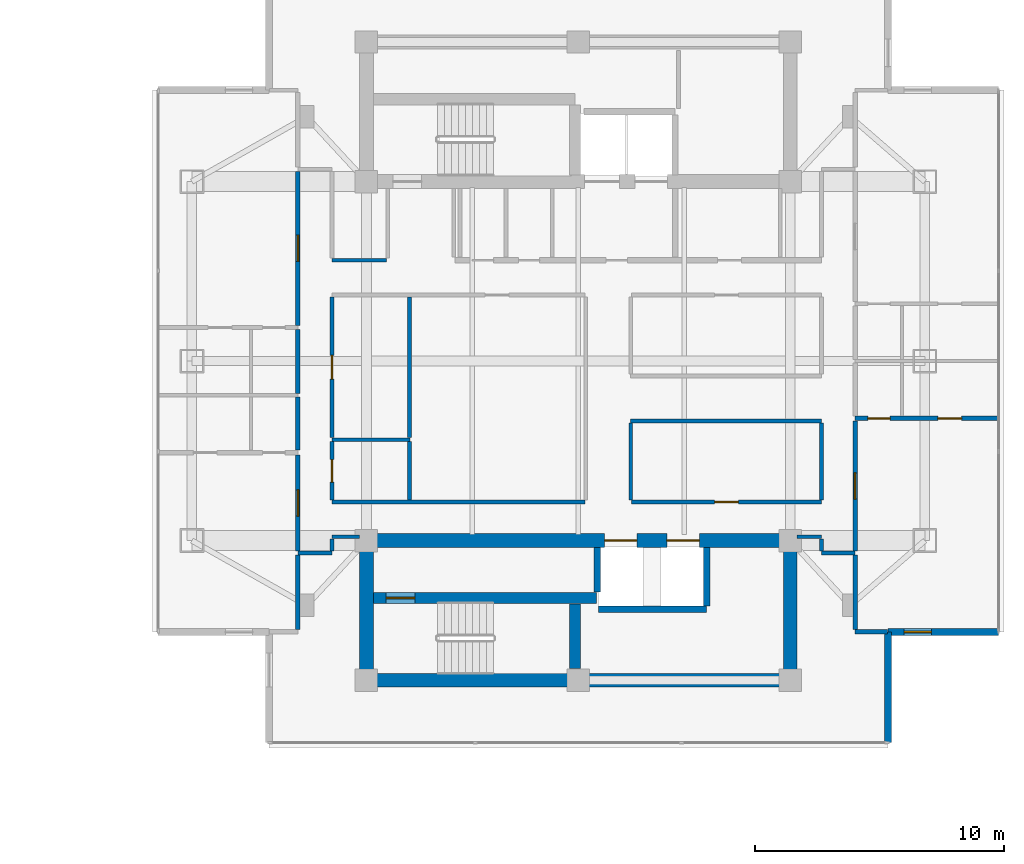
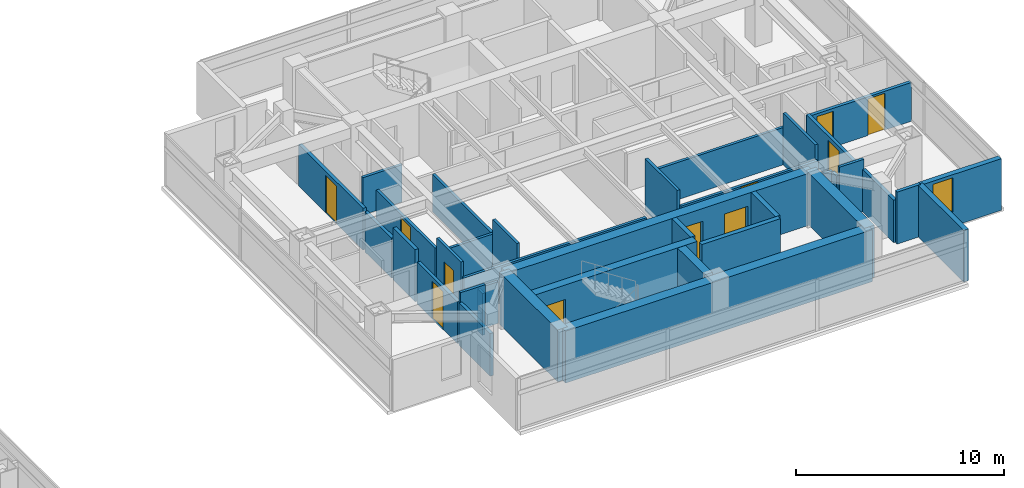
# One storey, part 16 of 24: 37 walls, 11 doors, 1 window, 12 openings.
"""IFC4 building model written with IfcOpenShell, lengths in metres."""

from ifc_helpers import new_model, si_unit, direction, frame, frame_2d, origin, place, context, subcontext, project, spatial, rectangle, extrude, material, layer, layer_set, type_object, element, fill, save


model = new_model("IFC4")

# Units and contexts
model_context = context("Model", 3, precision=1e-05, world=origin(), true_north=direction((0.0, 1.0)))
body_context = subcontext(model_context, "Body", "Model", "MODEL_VIEW")
ifc_project = project(units=[si_unit("LENGTHUNIT", "METRE"), si_unit("AREAUNIT", "SQUARE_METRE"), si_unit("VOLUMEUNIT", "CUBIC_METRE"), si_unit("PLANEANGLEUNIT", "RADIAN"), si_unit("MASSUNIT", "GRAM", prefix="KILO")], contexts=[model_context])

# Site, building, storey
site_placement = place(None, origin())
site = spatial("IfcSite", under=ifc_project, at=site_placement, CompositionType="ELEMENT")
building_placement = place(site_placement, origin())
building = spatial("IfcBuilding", under=site, at=building_placement, Name="Mirazonda Arch Towers", CompositionType="ELEMENT")
storey_placement = place(building_placement, frame((0.0, 0.0, 190.14990234375)))
storey = spatial("IfcBuildingStorey", under=building, at=storey_placement, Name="L54", CompositionType="ELEMENT", Elevation=190.14990234375)

# Wall, opening, door
ifc_material_1 = material(Name="Concrete C50/60", Category="concrete")
ifc_layer_1 = layer(ifc_material_1, 0.449951171875, Name="WALL-CORE-450")
ifc_layer_set_1 = layer_set([ifc_layer_1], Name="Concrete C50/60")
wall_type_1 = type_object("IfcWallType", Name="WALL-CORE-450", PredefinedType="SHEAR", material=ifc_layer_set_1)
wall_1_placement = place(storey_placement, frame((68.27001953125, 18.5, 0.0), z_axis=(0.0, 0.0, 1.0), x_axis=(1.0, 0.0, 0.0)))
wall_1 = element("IfcWall", 1, at=wall_1_placement, inside=storey, type_object=wall_type_1, Name="L54 Stair Core Shear Wall 013", PredefinedType="SHEAR", context=body_context, shape_type="SweptSolid", body=[
    extrude(rectangle(XDim=8.949951171875, YDim=0.449951171875, at=frame_2d((4.47509765625, 0.0))), origin(), (0.0, 0.0, 1.0), 3.050048828125),
])
opening_1_placement = place(wall_1_placement, frame((0.52001953125, 0.0, 0.0)))
opening_1 = element("IfcOpeningElement", 2, at=opening_1_placement, cuts=wall_1, Name="Opening DR-135", PredefinedType="OPENING", context=body_context, shape_type="SweptSolid", body=[
    extrude(rectangle(XDim=1.14990234375, YDim=2.199951171875, at=frame_2d((0.574951171875, 1.10009765625))), frame((0.0, 0.23486328125, 0.0), z_axis=(0.0, -1.0, 0.0), x_axis=(1.0, 0.0, 0.0)), (0.0, 0.0, 1.0), 0.469970703125),
])
ifc_material_2 = material(Name="Architectural Brushed Steel S355", Category="steel")
door_type_1 = type_object("IfcDoorType", Name="DOOR-STAIR-FD90-1150", OperationType="NOTDEFINED", PredefinedType="DOOR", material=ifc_material_2)
door_1_placement = place(opening_1_placement, origin())
door_1 = element("IfcDoor", 3, at=door_1_placement, inside=storey, type_object=door_type_1, Name="L54 East Protected Stair South Door", OperationType="SINGLE_SWING_RIGHT", OverallHeight=2.199951171875, OverallWidth=1.14990234375, PredefinedType="DOOR", context=body_context, shape_type="SweptSolid", body=[
    extrude(rectangle(XDim=1.14990234375, YDim=2.199951171875, at=frame_2d((0.574951171875, 1.10009765625))), frame((0.0, 0.02490234375, 0.0), z_axis=(0.0, -1.0, 0.0), x_axis=(1.0, 0.0, 0.0)), (0.0, 0.0, 1.0), 0.050048828125),
])
fill(opening_1, door_1)

# Walls
wall_2_placement = place(storey_placement, frame((76.360107421875, 15.6650390625, 0.0), z_axis=(0.0, 0.0, 1.0), x_axis=(0.0, 1.0, 0.0)))
element("IfcWall", 4, at=wall_2_placement, inside=storey, type_object=wall_type_1, Name="L54 Stair Core Shear Wall 138", PredefinedType="SHEAR", context=body_context, shape_type="SweptSolid", body=[
    extrude(rectangle(XDim=2.599853515625, YDim=0.449951171875, at=frame_2d((1.2998046875, 0.0))), origin(), (0.0, 0.0, 1.0), 3.050048828125),
])
ifc_layer_2 = layer(ifc_material_1, 0.550048828125, Name="WALL-CORE-550")
ifc_layer_set_2 = layer_set([ifc_layer_2], Name="Concrete C50/60")
wall_type_2 = type_object("IfcWallType", Name="WALL-CORE-550", PredefinedType="SHEAR", material=ifc_layer_set_2)
wall_3_placement = place(storey_placement, frame((68.0, 15.199951171875, 0.0), z_axis=(0.0, 0.0, 1.0), x_axis=(1.0, 0.0, 0.0)))
element("IfcWall", 5, at=wall_3_placement, inside=storey, type_object=wall_type_2, Name="L54 T2S-S Core Shear Wall", PredefinedType="SHEAR", context=body_context, shape_type="SweptSolid", body=[
    extrude(rectangle(XDim=17.0, YDim=0.550048828125, at=frame_2d((8.5, 0.0))), origin(), (0.0, 0.0, 1.0), 3.050048828125),
])
for number, where, z_axis, x_axis, name in (
    (6, (68.0, 15.199951171875, 0.0), (0.0, 0.0, 1.0), (0.0, 1.0, 0.0), "L54 T2S-W Core Shear Wall"),
    (7, (85.0, 15.199951171875, 0.0), (0.0, 0.0, 1.0), (0.0, 1.0, 0.0), "L54 T2S-E Core Shear Wall"),
):
    element("IfcWall", number, at=place(storey_placement, frame(where, z_axis=z_axis, x_axis=x_axis)), inside=storey, type_object=wall_type_2, Name=name, PredefinedType="SHEAR", context=body_context, shape_type="SweptSolid", body=[
        extrude(rectangle(XDim=5.60009765625, YDim=0.550048828125, at=frame_2d((2.800048828125, 0.0))), origin(), (0.0, 0.0, 1.0), 3.050048828125),
    ])

# Wall, openings, doors
wall_4_placement = place(storey_placement, frame((68.0, 20.800048828125, 0.0), z_axis=(0.0, 0.0, 1.0), x_axis=(1.0, 0.0, 0.0)))
wall_4 = element("IfcWall", 8, at=wall_4_placement, inside=storey, type_object=wall_type_2, Name="L54 T2S-N Core Shear Wall", PredefinedType="SHEAR", context=body_context, shape_type="SweptSolid", body=[
    extrude(rectangle(XDim=17.0, YDim=0.550048828125, at=frame_2d((8.5, 0.0))), origin(), (0.0, 0.0, 1.0), 3.050048828125),
])
opening_2_placement = place(wall_4_placement, frame((9.550048828125, 0.0, 0.0)))
opening_2 = element("IfcOpeningElement", 9, at=opening_2_placement, cuts=wall_4, Name="Opening LD-111", PredefinedType="OPENING", context=body_context, shape_type="SweptSolid", body=[
    extrude(rectangle(XDim=1.300048828125, YDim=2.300048828125, at=frame_2d((0.64990234375, 1.14990234375))), frame((0.0, 0.284912109375, 0.0), z_axis=(0.0, -1.0, 0.0), x_axis=(1.0, 0.0, 0.0)), (0.0, 0.0, 1.0), 0.570068359375),
])
opening_3_placement = place(wall_4_placement, frame((12.050048828125, 0.0, 0.0)))
opening_3 = element("IfcOpeningElement", 10, at=opening_3_placement, cuts=wall_4, Name="Opening LD-111", PredefinedType="OPENING", context=body_context, shape_type="SweptSolid", body=[
    extrude(rectangle(XDim=1.300048828125, YDim=2.300048828125, at=frame_2d((0.64990234375, 1.14990234375))), frame((0.0, 0.284912109375, 0.0), z_axis=(0.0, -1.0, 0.0), x_axis=(1.0, 0.0, 0.0)), (0.0, 0.0, 1.0), 0.570068359375),
])
door_type_2 = type_object("IfcDoorType", Name="DOOR-LIFT-LAND-1300", OperationType="NOTDEFINED", PredefinedType="DOOR", material=ifc_material_2)
door_2_placement = place(opening_2_placement, origin())
door_2 = element("IfcDoor", 11, at=door_2_placement, inside=storey, type_object=door_type_2, Name="L54 Lift Landing Sliding Door PL-T2H1", OperationType="DOUBLE_DOOR_SLIDING", OverallHeight=2.300048828125, OverallWidth=1.300048828125, PredefinedType="DOOR", context=body_context, shape_type="SweptSolid", body=[
    extrude(rectangle(XDim=1.300048828125, YDim=2.300048828125, at=frame_2d((0.64990234375, 1.14990234375))), frame((0.0, 0.02490234375, 0.0), z_axis=(0.0, -1.0, 0.0), x_axis=(1.0, 0.0, 0.0)), (0.0, 0.0, 1.0), 0.050048828125),
])
fill(opening_2, door_2)
door_3_placement = place(opening_3_placement, origin())
door_3 = element("IfcDoor", 12, at=door_3_placement, inside=storey, type_object=door_type_2, Name="L54 Lift Landing Sliding Door PL-T2H2", OperationType="DOUBLE_DOOR_SLIDING", OverallHeight=2.300048828125, OverallWidth=1.300048828125, PredefinedType="DOOR", context=body_context, shape_type="SweptSolid", body=[
    extrude(rectangle(XDim=1.300048828125, YDim=2.300048828125, at=frame_2d((0.64990234375, 1.14990234375))), frame((0.0, 0.02490234375, 0.0), z_axis=(0.0, -1.0, 0.0), x_axis=(1.0, 0.0, 0.0)), (0.0, 0.0, 1.0), 0.050048828125),
])
fill(opening_3, door_3)

# Wall, opening, window
ifc_material_3 = material(Name="Precast Concrete C40/50", Category="concrete")
ifc_layer_3 = layer(ifc_material_3, 0.280029296875, Name="WALL-EXT-WALL-280")
ifc_layer_set_3 = layer_set([ifc_layer_3], Name="Precast Concrete C40/50")
wall_type_3 = type_object("IfcWallType", Name="WALL-EXT-WALL-280", PredefinedType="SOLIDWALL", material=ifc_layer_set_3)
wall_5_placement = place(storey_placement, frame((88.913818359375, 17.134521484375, 0.0), z_axis=(0.0, 0.0, 1.0), x_axis=(1.0, 0.0, 0.0)))
wall_5 = element("IfcWall", 13, at=wall_5_placement, inside=storey, type_object=wall_type_3, Name="L54 T2 Corner Notch Return Wall WL-L54-T2-CSE1", PredefinedType="SOLIDWALL", context=body_context, shape_type="SweptSolid", body=[
    extrude(rectangle(XDim=4.439697265625, YDim=0.280029296875, at=frame_2d((2.2197265625, 0.0))), origin(), (0.0, 0.0, 1.0), 3.030029296875),
])
opening_4_placement = place(wall_5_placement, frame((0.64990234375, 0.0, 0.85009765625)))
opening_4 = element("IfcOpeningElement", 14, at=opening_4_placement, cuts=wall_5, Name="Opening WN-108", PredefinedType="OPENING", context=body_context, shape_type="SweptSolid", body=[
    extrude(rectangle(XDim=1.10009765625, YDim=2.0, at=frame_2d((0.550048828125, 1.0))), frame((0.0, 0.14990234375, 0.0), z_axis=(0.0, -1.0, 0.0), x_axis=(1.0, 0.0, 0.0)), (0.0, 0.0, 1.0), 0.300048828125),
])
ifc_material_4 = material(Name="Insulated Low-E Solar Glass", Category="glass")
window_type = type_object("IfcWindowType", Name="WIN-NOTCH-1100x2000", PartitioningType="SINGLE_PANEL", PredefinedType="WINDOW", material=ifc_material_4)
window_placement = place(opening_4_placement, origin())
window = element("IfcWindow", 15, at=window_placement, inside=storey, type_object=window_type, Name="L54 Punched Facade Window WN-L54-T2-CSE1", OverallHeight=2.0, OverallWidth=1.10009765625, PartitioningType="SINGLE_PANEL", PredefinedType="WINDOW", context=body_context, shape_type="SweptSolid", body=[
    extrude(rectangle(XDim=1.10009765625, YDim=2.0, at=frame_2d((0.550048828125, 1.0))), frame((0.0, 0.030029296875, 0.0), z_axis=(0.0, -1.0, 0.0), x_axis=(1.0, 0.0, 0.0)), (0.0, 0.0, 1.0), 0.06005859375),
])
fill(opening_4, window)

# Walls
wall_6_placement = place(storey_placement, frame((88.913818359375, 12.69482421875, 0.0), z_axis=(0.0, 0.0, 1.0), x_axis=(0.0, 1.0, 0.0)))
element("IfcWall", 16, at=wall_6_placement, inside=storey, type_object=wall_type_3, Name="L54 T2 Corner Notch Return Wall WL-L54-T2-CSE2", PredefinedType="SOLIDWALL", context=body_context, shape_type="SweptSolid", body=[
    extrude(rectangle(XDim=4.439697265625, YDim=0.280029296875, at=frame_2d((2.2197265625, 0.0))), origin(), (0.0, 0.0, 1.0), 3.030029296875),
])
ifc_material_5 = material(Name="Fire-Rated Gypsum Stud Partition")
ifc_layer_4 = layer(ifc_material_5, 0.14990234375, Name="WALL-PART-CORR-150")
ifc_layer_set_4 = layer_set([ifc_layer_4], Name="Fire-Rated Gypsum Stud Partition")
wall_type_4 = type_object("IfcWallType", Name="WALL-PART-CORR-150", PredefinedType="PARTITIONING", material=ifc_layer_set_4)
wall_7_placement = place(storey_placement, frame((65.25, 20.300048828125, 0.0), z_axis=(0.0, 0.0, 1.0), x_axis=(1.0, 0.0, 0.0)))
element("IfcWall", 17, at=wall_7_placement, inside=storey, type_object=wall_type_4, Name="L54 Interior Partition 016", PredefinedType="PARTITIONING", context=body_context, shape_type="SweptSolid", body=[
    extrude(rectangle(XDim=1.3701171875, YDim=0.14990234375, at=frame_2d((0.68505859375, 0.0))), origin(), (0.0, 0.0, 1.0), 3.050048828125),
])
wall_8_placement = place(storey_placement, frame((86.25, 20.300048828125, 0.0), z_axis=(0.0, 0.0, 1.0), x_axis=(1.0, 0.0, 0.0)))
element("IfcWall", 18, at=wall_8_placement, inside=storey, type_object=wall_type_4, Name="L54 Interior Partition 017", PredefinedType="PARTITIONING", context=body_context, shape_type="SweptSolid", body=[
    extrude(rectangle(XDim=1.35009765625, YDim=0.14990234375, at=frame_2d((0.675048828125, 0.0))), origin(), (0.0, 0.0, 1.0), 3.050048828125),
])
wall_9_placement = place(storey_placement, frame((66.6201171875, 20.949951171875, 0.0), z_axis=(0.0, 0.0, 1.0), x_axis=(1.0, 0.0, 0.0)))
element("IfcWall", 19, at=wall_9_placement, inside=storey, type_object=wall_type_4, Name="L54 Interior Partition 018", PredefinedType="PARTITIONING", context=body_context, shape_type="SweptSolid", body=[
    extrude(rectangle(XDim=1.10986328125, YDim=0.14990234375, at=frame_2d((0.554931640625, 0.0))), origin(), (0.0, 0.0, 1.0), 2.442138671875),
])
wall_10_placement = place(storey_placement, frame((85.27001953125, 20.949951171875, 0.0), z_axis=(0.0, 0.0, 1.0), x_axis=(1.0, 0.0, 0.0)))
element("IfcWall", 20, at=wall_10_placement, inside=storey, type_object=wall_type_4, Name="L54 Interior Partition 019", PredefinedType="PARTITIONING", context=body_context, shape_type="SweptSolid", body=[
    extrude(rectangle(XDim=0.97998046875, YDim=0.14990234375, at=frame_2d((0.489990234375, 0.0))), origin(), (0.0, 0.0, 1.0), 2.442138671875),
])
wall_11_placement = place(storey_placement, frame((66.6201171875, 22.35009765625, 0.0), z_axis=(0.0, 0.0, 1.0), x_axis=(1.0, 0.0, 0.0)))
element("IfcWall", 21, at=wall_11_placement, inside=storey, type_object=wall_type_4, Name="L54 Interior Partition 022", PredefinedType="PARTITIONING", context=body_context, shape_type="SweptSolid", body=[
    extrude(rectangle(XDim=10.139892578125, YDim=0.14990234375, at=frame_2d((5.06982421875, 0.0))), origin(), (0.0, 0.0, 1.0), 2.18603515625),
])

# Wall, opening, door
wall_12_placement = place(storey_placement, frame((78.639892578125, 22.35009765625, 0.0), z_axis=(0.0, 0.0, 1.0), x_axis=(1.0, 0.0, 0.0)))
wall_12 = element("IfcWall", 22, at=wall_12_placement, inside=storey, type_object=wall_type_4, Name="L54 Interior Partition 023", PredefinedType="PARTITIONING", context=body_context, shape_type="SweptSolid", body=[
    extrude(rectangle(XDim=7.610107421875, YDim=0.14990234375, at=frame_2d((3.80517578125, 0.0))), origin(), (0.0, 0.0, 1.0), 2.18603515625),
])
opening_5_placement = place(wall_12_placement, frame((3.330078125, 0.0, 0.0)))
opening_5 = element("IfcOpeningElement", 23, at=opening_5_placement, cuts=wall_12, Name="Opening DR-104", PredefinedType="OPENING", context=body_context, shape_type="SweptSolid", body=[
    extrude(rectangle(XDim=0.949951171875, YDim=2.14990234375, at=frame_2d((0.47509765625, 1.074951171875))), frame((0.0, 0.0849609375, 0.0), z_axis=(0.0, -1.0, 0.0), x_axis=(1.0, 0.0, 0.0)), (0.0, 0.0, 1.0), 0.169921875),
])
door_type_3 = type_object("IfcDoorType", Name="DOOR-ROOM-950", OperationType="NOTDEFINED", PredefinedType="DOOR", material=ifc_material_2)
door_4_placement = place(opening_5_placement, origin())
door_4 = element("IfcDoor", 24, at=door_4_placement, inside=storey, type_object=door_type_3, Name="L54 L54 Tower 2 South-East Salon Door", OperationType="SINGLE_SWING_RIGHT", OverallHeight=2.14990234375, OverallWidth=0.949951171875, PredefinedType="DOOR", context=body_context, shape_type="SweptSolid", body=[
    extrude(rectangle(XDim=0.949951171875, YDim=2.14990234375, at=frame_2d((0.47509765625, 1.074951171875))), frame((0.0, 0.02490234375, 0.0), z_axis=(0.0, -1.0, 0.0), x_axis=(1.0, 0.0, 0.0)), (0.0, 0.0, 1.0), 0.050048828125),
])
fill(opening_5, door_4)

# Walls
wall_13_placement = place(storey_placement, frame((66.6201171875, 24.85009765625, 0.0), z_axis=(0.0, 0.0, 1.0), x_axis=(1.0, 0.0, 0.0)))
element("IfcWall", 25, at=wall_13_placement, inside=storey, type_object=wall_type_4, Name="L54 Interior Partition 027", PredefinedType="PARTITIONING", context=body_context, shape_type="SweptSolid", body=[
    extrude(rectangle(XDim=3.1298828125, YDim=0.14990234375, at=frame_2d((1.56494140625, 0.0))), origin(), (0.0, 0.0, 1.0), 2.18603515625),
])
wall_14_placement = place(storey_placement, frame((78.60009765625, 25.60009765625, 0.0), z_axis=(0.0, 0.0, 1.0), x_axis=(1.0, 0.0, 0.0)))
element("IfcWall", 26, at=wall_14_placement, inside=storey, type_object=wall_type_4, Name="L54 Interior Partition 028", PredefinedType="PARTITIONING", context=body_context, shape_type="SweptSolid", body=[
    extrude(rectangle(XDim=7.64990234375, YDim=0.14990234375, at=frame_2d((3.824951171875, 0.0))), origin(), (0.0, 0.0, 1.0), 2.18603515625),
])
wall_15_placement = place(storey_placement, frame((66.6201171875, 32.050048828125, 0.0), z_axis=(0.0, 0.0, 1.0), x_axis=(1.0, 0.0, 0.0)))
element("IfcWall", 27, at=wall_15_placement, inside=storey, type_object=wall_type_4, Name="L54 Interior Partition 042", PredefinedType="PARTITIONING", context=body_context, shape_type="SweptSolid", body=[
    extrude(rectangle(XDim=2.179931640625, YDim=0.14990234375, at=frame_2d((1.08984375, 0.0))), origin(), (0.0, 0.0, 1.0), 2.18603515625),
])
wall_16_placement = place(storey_placement, frame((66.6201171875, 20.385009765625, 0.0), z_axis=(0.0, 0.0, 1.0), x_axis=(0.0, 1.0, 0.0)))
element("IfcWall", 28, at=wall_16_placement, inside=storey, type_object=wall_type_4, Name="L54 Interior Partition 127", PredefinedType="PARTITIONING", context=body_context, shape_type="SweptSolid", body=[
    extrude(rectangle(XDim=0.47998046875, YDim=0.14990234375, at=frame_2d((0.239990234375, 0.0))), origin(), (0.0, 0.0, 1.0), 2.442138671875),
])

# Wall, opening, door
wall_17_placement = place(storey_placement, frame((66.6201171875, 22.43505859375, 0.0), z_axis=(0.0, 0.0, 1.0), x_axis=(0.0, 1.0, 0.0)))
wall_17 = element("IfcWall", 29, at=wall_17_placement, inside=storey, type_object=wall_type_4, Name="L54 Interior Partition 128", PredefinedType="PARTITIONING", context=body_context, shape_type="SweptSolid", body=[
    extrude(rectangle(XDim=2.329833984375, YDim=0.14990234375, at=frame_2d((1.1650390625, 0.0))), origin(), (0.0, 0.0, 1.0), 3.050048828125),
])
opening_6_placement = place(wall_17_placement, frame((0.715087890625, 0.0, 0.0)))
opening_6 = element("IfcOpeningElement", 30, at=opening_6_placement, cuts=wall_17, Name="Opening DR-120", PredefinedType="OPENING", context=body_context, shape_type="SweptSolid", body=[
    extrude(rectangle(XDim=0.89990234375, YDim=2.10009765625, at=frame_2d((0.449951171875, 1.050048828125))), frame((0.0, 0.0849609375, 0.0), z_axis=(0.0, -1.0, 0.0), x_axis=(1.0, 0.0, 0.0)), (0.0, 0.0, 1.0), 0.169921875),
])
door_type_4 = type_object("IfcDoorType", Name="DOOR-WC-900", OperationType="NOTDEFINED", PredefinedType="DOOR", material=ifc_material_2)
door_5_placement = place(opening_6_placement, origin())
door_5 = element("IfcDoor", 31, at=door_5_placement, inside=storey, type_object=door_type_4, Name="L54 Tower 2 Common Accessible WC Door", OperationType="SINGLE_SWING_LEFT", OverallHeight=2.10009765625, OverallWidth=0.89990234375, PredefinedType="DOOR", context=body_context, shape_type="SweptSolid", body=[
    extrude(rectangle(XDim=0.89990234375, YDim=2.10009765625, at=frame_2d((0.449951171875, 1.050048828125))), frame((0.0, 0.02490234375, 0.0), z_axis=(0.0, -1.0, 0.0), x_axis=(1.0, 0.0, 0.0)), (0.0, 0.0, 1.0), 0.050048828125),
])
fill(opening_6, door_5)

wall_18_placement = place(storey_placement, frame((66.6201171875, 24.93505859375, 0.0), z_axis=(0.0, 0.0, 1.0), x_axis=(0.0, 1.0, 0.0)))
wall_18 = element("IfcWall", 32, at=wall_18_placement, inside=storey, type_object=wall_type_4, Name="L54 Interior Partition 129", PredefinedType="PARTITIONING", context=body_context, shape_type="SweptSolid", body=[
    extrude(rectangle(XDim=5.6298828125, YDim=0.14990234375, at=frame_2d((2.81494140625, 0.0))), origin(), (0.0, 0.0, 1.0), 2.34619140625),
])
opening_7_placement = place(wall_18_placement, frame((2.340087890625, 0.0, 0.0)))
opening_7 = element("IfcOpeningElement", 33, at=opening_7_placement, cuts=wall_18, Name="Opening DR-104", PredefinedType="OPENING", context=body_context, shape_type="SweptSolid", body=[
    extrude(rectangle(XDim=0.949951171875, YDim=2.14990234375, at=frame_2d((0.47509765625, 1.074951171875))), frame((0.0, 0.0849609375, 0.0), z_axis=(0.0, -1.0, 0.0), x_axis=(1.0, 0.0, 0.0)), (0.0, 0.0, 1.0), 0.169921875),
])
door_6_placement = place(opening_7_placement, origin())
door_6 = element("IfcDoor", 34, at=door_6_placement, inside=storey, type_object=door_type_3, Name="L54 L54 East Courtyard Reading Study Door", OperationType="SINGLE_SWING_RIGHT", OverallHeight=2.14990234375, OverallWidth=0.949951171875, PredefinedType="DOOR", context=body_context, shape_type="SweptSolid", body=[
    extrude(rectangle(XDim=0.949951171875, YDim=2.14990234375, at=frame_2d((0.47509765625, 1.074951171875))), frame((0.0, 0.02490234375, 0.0), z_axis=(0.0, -1.0, 0.0), x_axis=(1.0, 0.0, 0.0)), (0.0, 0.0, 1.0), 0.050048828125),
])
fill(opening_7, door_6)

# Walls
wall_19_placement = place(storey_placement, frame((69.723388671875, 22.43505859375, 0.0), z_axis=(0.0, 0.0, 1.0), x_axis=(0.0, 1.0, 0.0)))
element("IfcWall", 35, at=wall_19_placement, inside=storey, type_object=wall_type_4, Name="L54 Interior Partition 132", PredefinedType="PARTITIONING", context=body_context, shape_type="SweptSolid", body=[
    extrude(rectangle(XDim=2.329833984375, YDim=0.14990234375, at=frame_2d((1.1650390625, 0.0))), origin(), (0.0, 0.0, 1.0), 3.050048828125),
])
wall_20_placement = place(storey_placement, frame((69.723388671875, 24.93505859375, 0.0), z_axis=(0.0, 0.0, 1.0), x_axis=(0.0, 1.0, 0.0)))
element("IfcWall", 36, at=wall_20_placement, inside=storey, type_object=wall_type_4, Name="L54 Interior Partition 133", PredefinedType="PARTITIONING", context=body_context, shape_type="SweptSolid", body=[
    extrude(rectangle(XDim=5.6298828125, YDim=0.14990234375, at=frame_2d((2.81494140625, 0.0))), origin(), (0.0, 0.0, 1.0), 2.18603515625),
])
wall_21_placement = place(storey_placement, frame((78.60009765625, 22.43505859375, 0.0), z_axis=(0.0, 0.0, 1.0), x_axis=(0.0, 1.0, 0.0)))
element("IfcWall", 37, at=wall_21_placement, inside=storey, type_object=wall_type_4, Name="L54 Interior Partition 142", PredefinedType="PARTITIONING", context=body_context, shape_type="SweptSolid", body=[
    extrude(rectangle(XDim=3.079833984375, YDim=0.14990234375, at=frame_2d((1.5400390625, 0.0))), origin(), (0.0, 0.0, 1.0), 3.050048828125),
])
wall_22_placement = place(storey_placement, frame((86.25, 20.385009765625, 0.0), z_axis=(0.0, 0.0, 1.0), x_axis=(0.0, 1.0, 0.0)))
element("IfcWall", 38, at=wall_22_placement, inside=storey, type_object=wall_type_4, Name="L54 Interior Partition 149", PredefinedType="PARTITIONING", context=body_context, shape_type="SweptSolid", body=[
    extrude(rectangle(XDim=0.47998046875, YDim=0.14990234375, at=frame_2d((0.239990234375, 0.0))), origin(), (0.0, 0.0, 1.0), 2.442138671875),
])
wall_23_placement = place(storey_placement, frame((86.25, 22.43505859375, 0.0), z_axis=(0.0, 0.0, 1.0), x_axis=(0.0, 1.0, 0.0)))
element("IfcWall", 39, at=wall_23_placement, inside=storey, type_object=wall_type_4, Name="L54 Interior Partition 150", PredefinedType="PARTITIONING", context=body_context, shape_type="SweptSolid", body=[
    extrude(rectangle(XDim=3.079833984375, YDim=0.14990234375, at=frame_2d((1.5400390625, 0.0))), origin(), (0.0, 0.0, 1.0), 3.050048828125),
])
ifc_material_6 = material(Name="Fire-Rated Gypsum Twin-Stud Assembly")
ifc_layer_5 = layer(ifc_material_6, 0.179931640625, Name="WALL-PART-DEMISE-180")
ifc_layer_set_5 = layer_set([ifc_layer_5], Name="Fire-Rated Gypsum Twin-Stud Assembly")
wall_type_5 = type_object("IfcWallType", Name="WALL-PART-DEMISE-180", PredefinedType="PARTITIONING", material=ifc_layer_set_5)
wall_24_placement = place(storey_placement, frame((87.60009765625, 17.135009765625, 0.0), z_axis=(0.0, 0.0, 1.0), x_axis=(1.0, 0.0, 0.0)))
element("IfcWall", 40, at=wall_24_placement, inside=storey, type_object=wall_type_5, Name="L54 Interior Partition 009", PredefinedType="PARTITIONING", context=body_context, shape_type="SweptSolid", body=[
    extrude(rectangle(XDim=1.293701171875, YDim=0.179931640625, at=frame_2d((0.64697265625, 0.0))), origin(), (0.0, 0.0, 1.0), 3.050048828125),
])

# Wall, openings, doors
wall_25_placement = place(storey_placement, frame((87.60009765625, 25.699951171875, 0.0), z_axis=(0.0, 0.0, 1.0), x_axis=(1.0, 0.0, 0.0)))
wall_25 = element("IfcWall", 41, at=wall_25_placement, inside=storey, type_object=wall_type_5, Name="L54 Interior Partition 029", PredefinedType="PARTITIONING", context=body_context, shape_type="SweptSolid", body=[
    extrude(rectangle(XDim=5.7529296875, YDim=0.179931640625, at=frame_2d((2.87646484375, 0.0))), origin(), (0.0, 0.0, 1.0), 2.26904296875),
])
opening_8_placement = place(wall_25_placement, frame((3.321533203125, 0.0, 0.0)))
opening_8 = element("IfcOpeningElement", 42, at=opening_8_placement, cuts=wall_25, Name="Opening DR-104", PredefinedType="OPENING", context=body_context, shape_type="SweptSolid", body=[
    extrude(rectangle(XDim=0.949951171875, YDim=2.14990234375, at=frame_2d((0.47509765625, 1.074951171875))), frame((0.0, 0.099853515625, 0.0), z_axis=(0.0, -1.0, 0.0), x_axis=(1.0, 0.0, 0.0)), (0.0, 0.0, 1.0), 0.199951171875),
])
opening_9_placement = place(wall_25_placement, frame((0.510009765625, 0.0, 0.0)))
opening_9 = element("IfcOpeningElement", 43, at=opening_9_placement, cuts=wall_25, Name="Opening DR-120", PredefinedType="OPENING", context=body_context, shape_type="SweptSolid", body=[
    extrude(rectangle(XDim=0.89990234375, YDim=2.10009765625, at=frame_2d((0.449951171875, 1.050048828125))), frame((0.0, 0.099853515625, 0.0), z_axis=(0.0, -1.0, 0.0), x_axis=(1.0, 0.0, 0.0)), (0.0, 0.0, 1.0), 0.199951171875),
])
door_7_placement = place(opening_8_placement, origin())
door_7 = element("IfcDoor", 44, at=door_7_placement, inside=storey, type_object=door_type_3, Name="L54 Studio 1 Galley Kitchen Door", OperationType="SINGLE_SWING_LEFT", OverallHeight=2.14990234375, OverallWidth=0.949951171875, PredefinedType="DOOR", context=body_context, shape_type="SweptSolid", body=[
    extrude(rectangle(XDim=0.949951171875, YDim=2.14990234375, at=frame_2d((0.47509765625, 1.074951171875))), frame((0.0, 0.02490234375, 0.0), z_axis=(0.0, -1.0, 0.0), x_axis=(1.0, 0.0, 0.0)), (0.0, 0.0, 1.0), 0.050048828125),
])
fill(opening_8, door_7)
door_8_placement = place(opening_9_placement, origin())
door_8 = element("IfcDoor", 45, at=door_8_placement, inside=storey, type_object=door_type_4, Name="L54 Studio 1 Bathroom Door", OperationType="SINGLE_SWING_RIGHT", OverallHeight=2.10009765625, OverallWidth=0.89990234375, PredefinedType="DOOR", context=body_context, shape_type="SweptSolid", body=[
    extrude(rectangle(XDim=0.89990234375, YDim=2.10009765625, at=frame_2d((0.449951171875, 1.050048828125))), frame((0.0, 0.02490234375, 0.0), z_axis=(0.0, -1.0, 0.0), x_axis=(1.0, 0.0, 0.0)), (0.0, 0.0, 1.0), 0.050048828125),
])
fill(opening_9, door_8)

# Wall
wall_26_placement = place(storey_placement, frame((65.25, 17.235107421875, 0.0), z_axis=(0.0, 0.0, 1.0), x_axis=(0.0, 1.0, 0.0)))
element("IfcWall", 46, at=wall_26_placement, inside=storey, type_object=wall_type_5, Name="L54 Interior Partition 121", PredefinedType="PARTITIONING", context=body_context, shape_type="SweptSolid", body=[
    extrude(rectangle(XDim=2.97998046875, YDim=0.179931640625, at=frame_2d((1.489990234375, 0.0))), origin(), (0.0, 0.0, 1.0), 2.4931640625),
])

# Wall, opening, door
wall_27_placement = place(storey_placement, frame((65.25, 20.385009765625, 0.0), z_axis=(0.0, 0.0, 1.0), x_axis=(0.0, 1.0, 0.0)))
wall_27 = element("IfcWall", 47, at=wall_27_placement, inside=storey, type_object=wall_type_5, Name="L54 Interior Partition 122", PredefinedType="PARTITIONING", context=body_context, shape_type="SweptSolid", body=[
    extrude(rectangle(XDim=3.846923828125, YDim=0.179931640625, at=frame_2d((1.92333984375, 0.0))), origin(), (0.0, 0.0, 1.0), 2.442138671875),
])
opening_10_placement = place(wall_27_placement, frame((1.3984375, 0.0, 0.0)))
opening_10 = element("IfcOpeningElement", 48, at=opening_10_placement, cuts=wall_27, Name="Opening DR-121", PredefinedType="OPENING", context=body_context, shape_type="SweptSolid", body=[
    extrude(rectangle(XDim=1.050048828125, YDim=2.199951171875, at=frame_2d((0.52490234375, 1.10009765625))), frame((0.0, 0.099853515625, 0.0), z_axis=(0.0, -1.0, 0.0), x_axis=(1.0, 0.0, 0.0)), (0.0, 0.0, 1.0), 0.199951171875),
])
door_type_5 = type_object("IfcDoorType", Name="DOOR-SUITE-FD60-1050", OperationType="NOTDEFINED", PredefinedType="DOOR", material=ifc_material_2)
door_9_placement = place(opening_10_placement, origin())
door_9 = element("IfcDoor", 49, at=door_9_placement, inside=storey, type_object=door_type_5, Name="L54 Studio Apartment 1 Living Salon Door", OperationType="SINGLE_SWING_RIGHT", OverallHeight=2.199951171875, OverallWidth=1.050048828125, PredefinedType="DOOR", context=body_context, shape_type="SweptSolid", body=[
    extrude(rectangle(XDim=1.050048828125, YDim=2.199951171875, at=frame_2d((0.52490234375, 1.10009765625))), frame((0.0, 0.02490234375, 0.0), z_axis=(0.0, -1.0, 0.0), x_axis=(1.0, 0.0, 0.0)), (0.0, 0.0, 1.0), 0.050048828125),
])
fill(opening_10, door_9)

# Walls
wall_28_placement = place(storey_placement, frame((65.25, 24.431884765625, 0.0), z_axis=(0.0, 0.0, 1.0), x_axis=(0.0, 1.0, 0.0)))
element("IfcWall", 50, at=wall_28_placement, inside=storey, type_object=wall_type_5, Name="L54 Interior Partition 123", PredefinedType="PARTITIONING", context=body_context, shape_type="SweptSolid", body=[
    extrude(rectangle(XDim=2.127685546875, YDim=0.179931640625, at=frame_2d((1.06396484375, 0.0))), origin(), (0.0, 0.0, 1.0), 3.050048828125),
])
wall_29_placement = place(storey_placement, frame((65.25, 26.70458984375, 0.0), z_axis=(0.0, 0.0, 1.0), x_axis=(0.0, 1.0, 0.0)))
element("IfcWall", 51, at=wall_29_placement, inside=storey, type_object=wall_type_5, Name="L54 Interior Partition 124", PredefinedType="PARTITIONING", context=body_context, shape_type="SweptSolid", body=[
    extrude(rectangle(XDim=2.5625, YDim=0.179931640625, at=frame_2d((1.28125, 0.0))), origin(), (0.0, 0.0, 1.0), 2.34619140625),
])

# Wall, opening, door
wall_30_placement = place(storey_placement, frame((65.25, 29.43701171875, 0.0), z_axis=(0.0, 0.0, 1.0), x_axis=(0.0, 1.0, 0.0)))
wall_30 = element("IfcWall", 52, at=wall_30_placement, inside=storey, type_object=wall_type_5, Name="L54 Interior Partition 125", PredefinedType="PARTITIONING", context=body_context, shape_type="SweptSolid", body=[
    extrude(rectangle(XDim=6.177978515625, YDim=0.179931640625, at=frame_2d((3.0888671875, 0.0))), origin(), (0.0, 0.0, 1.0), 2.442138671875),
])
opening_11_placement = place(wall_30_placement, frame((2.56396484375, 0.0, 0.0)))
opening_11 = element("IfcOpeningElement", 53, at=opening_11_placement, cuts=wall_30, Name="Opening DR-121", PredefinedType="OPENING", context=body_context, shape_type="SweptSolid", body=[
    extrude(rectangle(XDim=1.050048828125, YDim=2.199951171875, at=frame_2d((0.52490234375, 1.10009765625))), frame((0.0, 0.099853515625, 0.0), z_axis=(0.0, -1.0, 0.0), x_axis=(1.0, 0.0, 0.0)), (0.0, 0.0, 1.0), 0.199951171875),
])
door_10_placement = place(opening_11_placement, origin())
door_10 = element("IfcDoor", 54, at=door_10_placement, inside=storey, type_object=door_type_5, Name="L54 Studio Apartment 2 Living Salon Door", OperationType="SINGLE_SWING_LEFT", OverallHeight=2.199951171875, OverallWidth=1.050048828125, PredefinedType="DOOR", context=body_context, shape_type="SweptSolid", body=[
    extrude(rectangle(XDim=1.050048828125, YDim=2.199951171875, at=frame_2d((0.52490234375, 1.10009765625))), frame((0.0, 0.02490234375, 0.0), z_axis=(0.0, -1.0, 0.0), x_axis=(1.0, 0.0, 0.0)), (0.0, 0.0, 1.0), 0.050048828125),
])
fill(opening_11, door_10)

# Wall
wall_31_placement = place(storey_placement, frame((87.60009765625, 17.235107421875, 0.0), z_axis=(0.0, 0.0, 1.0), x_axis=(0.0, 1.0, 0.0)))
element("IfcWall", 55, at=wall_31_placement, inside=storey, type_object=wall_type_5, Name="L54 Interior Partition 153", PredefinedType="PARTITIONING", context=body_context, shape_type="SweptSolid", body=[
    extrude(rectangle(XDim=2.97998046875, YDim=0.179931640625, at=frame_2d((1.489990234375, 0.0))), origin(), (0.0, 0.0, 1.0), 2.4931640625),
])

# Wall, opening, door
wall_32_placement = place(storey_placement, frame((87.60009765625, 20.385009765625, 0.0), z_axis=(0.0, 0.0, 1.0), x_axis=(0.0, 1.0, 0.0)))
wall_32 = element("IfcWall", 56, at=wall_32_placement, inside=storey, type_object=wall_type_5, Name="L54 Interior Partition 154", PredefinedType="PARTITIONING", context=body_context, shape_type="SweptSolid", body=[
    extrude(rectangle(XDim=5.215087890625, YDim=0.179931640625, at=frame_2d((2.607421875, 0.0))), origin(), (0.0, 0.0, 1.0), 2.442138671875),
])
opening_12_placement = place(wall_32_placement, frame((2.08251953125, 0.0, 0.0)))
opening_12 = element("IfcOpeningElement", 57, at=opening_12_placement, cuts=wall_32, Name="Opening DR-121", PredefinedType="OPENING", context=body_context, shape_type="SweptSolid", body=[
    extrude(rectangle(XDim=1.050048828125, YDim=2.199951171875, at=frame_2d((0.52490234375, 1.10009765625))), frame((0.0, 0.099853515625, 0.0), z_axis=(0.0, -1.0, 0.0), x_axis=(1.0, 0.0, 0.0)), (0.0, 0.0, 1.0), 0.199951171875),
])
door_11_placement = place(opening_12_placement, origin())
door_11 = element("IfcDoor", 58, at=door_11_placement, inside=storey, type_object=door_type_5, Name="L54 Studio Apartment 1 Living Salon Door", OperationType="SINGLE_SWING_RIGHT", OverallHeight=2.199951171875, OverallWidth=1.050048828125, PredefinedType="DOOR", context=body_context, shape_type="SweptSolid", body=[
    extrude(rectangle(XDim=1.050048828125, YDim=2.199951171875, at=frame_2d((0.52490234375, 1.10009765625))), frame((0.0, 0.02490234375, 0.0), z_axis=(0.0, -1.0, 0.0), x_axis=(1.0, 0.0, 0.0)), (0.0, 0.0, 1.0), 0.050048828125),
])
fill(opening_12, door_11)

# Walls
ifc_material_7 = material(Name="Concrete C40/50", Category="concrete")
ifc_layer_6 = layer(ifc_material_7, 0.25, Name="WALL-SHAFT-250")
ifc_layer_set_6 = layer_set([ifc_layer_6], Name="Concrete C40/50")
wall_type_6 = type_object("IfcWallType", Name="WALL-SHAFT-250", PredefinedType="SOLIDWALL", material=ifc_layer_set_6)
wall_33_placement = place(storey_placement, frame((77.300048828125, 18.050048828125, 0.0), z_axis=(0.0, 0.0, 1.0), x_axis=(1.0, 0.0, 0.0)))
element("IfcWall", 59, at=wall_33_placement, inside=storey, type_object=wall_type_6, Name="L54 Interior Partition 010", PredefinedType="SOLIDWALL", context=body_context, shape_type="SweptSolid", body=[
    extrude(rectangle(XDim=4.349853515625, YDim=0.25, at=frame_2d((2.1748046875, 0.0))), origin(), (0.0, 0.0, 1.0), 3.050048828125),
])
wall_34_placement = place(storey_placement, frame((77.260009765625, 18.735107421875, 0.0), z_axis=(0.0, 0.0, 1.0), x_axis=(0.0, 1.0, 0.0)))
element("IfcWall", 60, at=wall_34_placement, inside=storey, type_object=wall_type_6, Name="L54 Interior Partition 141", PredefinedType="SOLIDWALL", context=body_context, shape_type="SweptSolid", body=[
    extrude(rectangle(XDim=1.794921875, YDim=0.25, at=frame_2d((0.8974609375, 0.0))), origin(), (0.0, 0.0, 1.0), 3.050048828125),
])
wall_35_placement = place(storey_placement, frame((81.64990234375, 18.18505859375, 0.0), z_axis=(0.0, 0.0, 1.0), x_axis=(0.0, 1.0, 0.0)))
element("IfcWall", 61, at=wall_35_placement, inside=storey, type_object=wall_type_6, Name="L54 Interior Partition 147", PredefinedType="SOLIDWALL", context=body_context, shape_type="SweptSolid", body=[
    extrude(rectangle(XDim=2.344970703125, YDim=0.25, at=frame_2d((1.17236328125, 0.0))), origin(), (0.0, 0.0, 1.0), 3.050048828125),
])

save(model, "model.ifc")
